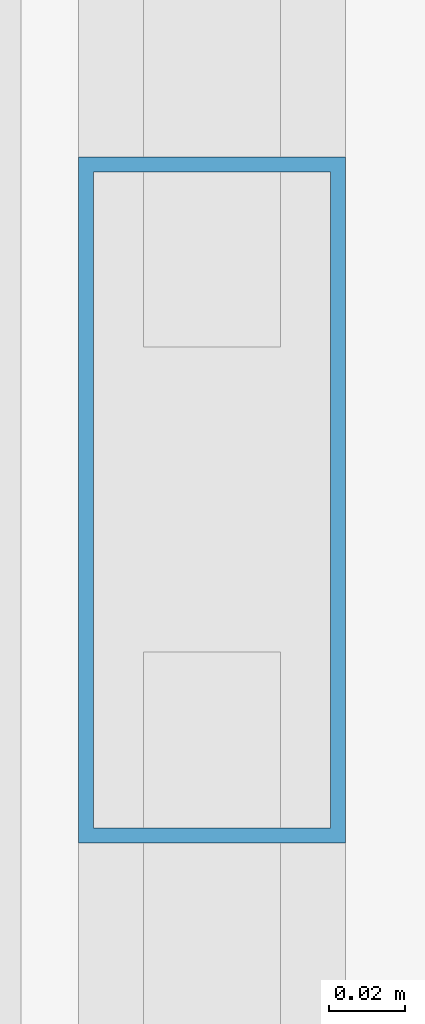
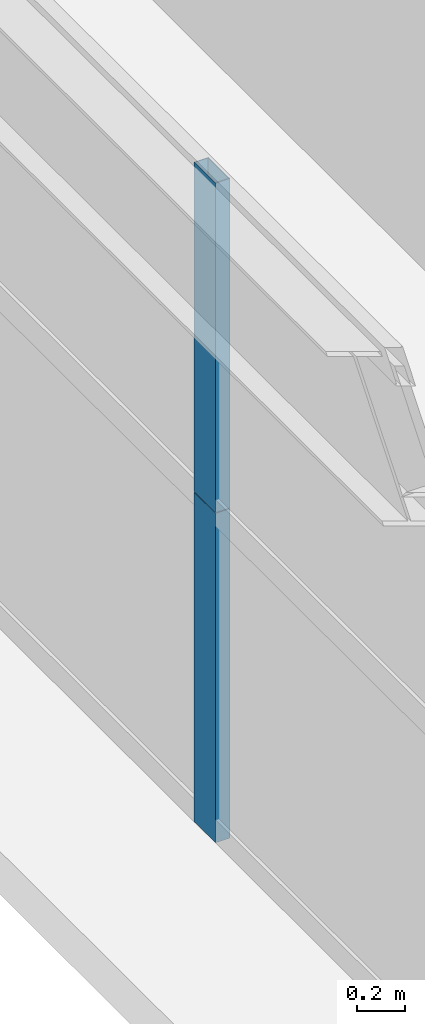
# One storey, part 23 of 43: 2 members, 1 element without a shape of its own.
"""IFC4 building model written with IfcOpenShell, lengths in metres."""

import ifcopenshell
import ifcopenshell.guid

model = None  # the IFC model being written
_history = None  # IfcOwnerHistory: only IFC2X3 demands one
_inside = {}  # id of a spatial element -> (the spatial element, [elements in it])
_under = {}  # id of a project, library or spatial element -> (it, [spatial elements below it])
_declared = {}  # id of a project -> (the project, [libraries it declares])
_typed = {}  # id of a type object -> (the type object, [elements of that type])
_made_of = {}  # id of a material, layer set ... -> (it, [elements and type objects made of it])


def new_model(schema):
    """Start an empty IFC model of exactly this schema.

    Asked for "IFC4X3", IfcOpenShell would pick the latest addendum, in which some entities
    have other attributes; the version numbers below select the first issue.
    IFC2X3 requires an IfcOwnerHistory on every rooted entity: one is made here for all.
    """
    global model, _history
    if schema == "IFC4X3":
        model = ifcopenshell.file(schema_version=(4, 3, 0, 0))
    else:
        model = ifcopenshell.file(schema=schema)
    _inside.clear()
    _under.clear()
    _declared.clear()
    _typed.clear()
    _made_of.clear()
    _history = None
    if model.schema == "IFC2X3":
        org = make("IfcOrganization", Name="unknown")
        user = make(
            "IfcPersonAndOrganization",
            ThePerson=make("IfcPerson", FamilyName="unknown"),
            TheOrganization=org,
        )
        app = make(
            "IfcApplication",
            ApplicationDeveloper=org,
            Version="unknown",
            ApplicationFullName="unknown",
            ApplicationIdentifier="unknown",
        )
        _history = make(
            "IfcOwnerHistory",
            OwningUser=user,
            OwningApplication=app,
            ChangeAction="ADDED",
            CreationDate=0,
        )
    return model


def make(cls, **values):
    """One entity of the class cls with the attributes given. An attribute that is None is left unset."""
    return model.create_entity(
        cls, **{name: value for name, value in values.items() if value is not None}
    )


def rooted(cls, **values):
    """An entity with a GlobalId (a new one), such as an element, a storey or a relation."""
    return make(cls, GlobalId=ifcopenshell.guid.new(), OwnerHistory=_history, **values)


def si_unit(unit_type, name, prefix=None):
    """IfcSIUnit, for example si_unit("LENGTHUNIT", "METRE", prefix="MILLI")."""
    return make("IfcSIUnit", UnitType=unit_type, Prefix=prefix, Name=name)


def assignment(units):
    """IfcUnitAssignment: the units of a project."""
    return None if units is None else make("IfcUnitAssignment", Units=units)


def point(xyz):
    """IfcCartesianPoint."""
    return None if xyz is None else make("IfcCartesianPoint", Coordinates=xyz)


def direction(xyz):
    """IfcDirection."""
    return None if xyz is None else make("IfcDirection", DirectionRatios=xyz)


def frame(location, z_axis=None, x_axis=None):
    """IfcAxis2Placement3D, a coordinate frame: its origin and axes. An axis left out is left unset."""
    return make(
        "IfcAxis2Placement3D",
        Location=point(location),
        Axis=direction(z_axis),
        RefDirection=direction(x_axis),
    )


def frame_2d(location, x_axis=None):
    """IfcAxis2Placement2D, a coordinate frame in the plane: its origin and x axis."""
    return make(
        "IfcAxis2Placement2D", Location=point(location), RefDirection=direction(x_axis)
    )


def origin():
    """The frame at (0, 0, 0) with its axes left unset."""
    return frame((0.0, 0.0, 0.0))


def origin_2d():
    """The frame at (0, 0) in the plane with its x axis left unset."""
    return frame_2d((0.0, 0.0))


def place(relative_to, where):
    """IfcLocalPlacement: puts the frame where relative to a parent placement (None: the world)."""
    return make(
        "IfcLocalPlacement", PlacementRelTo=relative_to, RelativePlacement=where
    )


def context(
    kind, dimensions, precision=None, world=None, true_north=None, identifier=None
):
    """IfcGeometricRepresentationContext, for example the 3D "Model" context."""
    return make(
        "IfcGeometricRepresentationContext",
        ContextIdentifier=identifier,
        ContextType=kind,
        CoordinateSpaceDimension=dimensions,
        Precision=precision,
        WorldCoordinateSystem=world,
        TrueNorth=true_north,
    )


def subcontext(parent, identifier, kind, view, scale=None):
    """IfcGeometricRepresentationSubContext, for example "Body" below "Model"."""
    return make(
        "IfcGeometricRepresentationSubContext",
        ContextIdentifier=identifier,
        ContextType=kind,
        ParentContext=parent,
        TargetScale=scale,
        TargetView=view,
    )


def project(units=None, contexts=None):
    """IfcProject with its units and contexts."""
    return rooted(
        "IfcProject",
        Name="project",
        RepresentationContexts=contexts,
        UnitsInContext=assignment(units),
    )


def spatial(cls, under=None, at=None, **own):
    """A site, building, storey or space (cls), placed at a placement, below another one or the project."""
    s = rooted(cls, ObjectPlacement=at, **own)
    if under is not None:
        _under.setdefault(under.id(), (under, []))[1].append(s)
    return s


def profile(cls, at=None, kind="AREA", **sizes):
    """A parametric profile (cls). Its sizes go by their IFC names, for example OverallWidth=200.0."""
    return make(cls, ProfileType=kind, Position=at, **sizes)


def hollow_rectangle(**sizes):
    """IfcRectangleHollowProfileDef."""
    return profile("IfcRectangleHollowProfileDef", **sizes)


def extrude(swept, where, along, depth):
    """IfcExtrudedAreaSolid: the profile swept, set in the frame where, extruded along a direction by depth."""
    return make(
        "IfcExtrudedAreaSolid",
        SweptArea=swept,
        Position=where,
        ExtrudedDirection=direction(along),
        Depth=depth,
    )


def shape(context_of_items, identifier, shape_type, items):
    """IfcShapeRepresentation: the items that make up one representation, for example the "Body"."""
    return make(
        "IfcShapeRepresentation",
        ContextOfItems=context_of_items,
        RepresentationIdentifier=identifier,
        RepresentationType=shape_type,
        Items=items,
    )


def source(mapping_origin, context_of_items, identifier, shape_type, items):
    """IfcRepresentationMap: a shape defined once, which mapped items show again and again."""
    return make(
        "IfcRepresentationMap",
        MappingOrigin=mapping_origin,
        MappedRepresentation=shape(context_of_items, identifier, shape_type, items),
    )


def transform(
    local_origin,
    x_axis=None,
    y_axis=None,
    z_axis=None,
    scale=None,
    scale2=None,
    scale3=None,
    uniform=True,
):
    """IfcCartesianTransformationOperator3D, or its non-uniform kind. x_axis, y_axis, z_axis: its Axis1, 2, 3."""
    if uniform:
        return make(
            "IfcCartesianTransformationOperator3D",
            Axis1=direction(x_axis),
            Axis2=direction(y_axis),
            LocalOrigin=point(local_origin),
            Scale=scale,
            Axis3=direction(z_axis),
        )
    return make(
        "IfcCartesianTransformationOperator3DnonUniform",
        Axis1=direction(x_axis),
        Axis2=direction(y_axis),
        LocalOrigin=point(local_origin),
        Scale=scale,
        Axis3=direction(z_axis),
        Scale2=scale2,
        Scale3=scale3,
    )


def mapped(mapping_source, mapping_target):
    """IfcMappedItem: shows the shape of a source again, moved by a transform."""
    return make(
        "IfcMappedItem", MappingSource=mapping_source, MappingTarget=mapping_target
    )


def material(Name=None, Category=None):
    """IfcMaterial."""
    return make("IfcMaterial", Name=Name, Category=Category)


def layer(
    of_material, thickness, ventilated=None, Name=None, Category=None, Priority=None
):
    """IfcMaterialLayer: one layer of a wall or slab, of a material (None: an air gap)."""
    return make(
        "IfcMaterialLayer",
        Material=of_material,
        LayerThickness=thickness,
        IsVentilated=ventilated,
        Name=Name,
        Category=Category,
        Priority=Priority,
    )


def layer_set(layers, Name=None):
    """IfcMaterialLayerSet."""
    return make("IfcMaterialLayerSet", MaterialLayers=layers, LayerSetName=Name)


def material_profile(
    of_material, cross_section, Name=None, Category=None, Priority=None
):
    """IfcMaterialProfile: a cross section and its material."""
    return make(
        "IfcMaterialProfile",
        Name=Name,
        Material=of_material,
        Profile=cross_section,
        Priority=Priority,
        Category=Category,
    )


def profile_set(profiles, Name=None, composite=None):
    """IfcMaterialProfileSet."""
    return make(
        "IfcMaterialProfileSet",
        Name=Name,
        MaterialProfiles=profiles,
        CompositeProfile=composite,
    )


def made_of(thing, what):
    """Note that an element or type object is made of a material, layer set ...; save() writes the relation."""
    if what is not None:
        _made_of.setdefault(what.id(), (what, []))[1].append(thing)
    return thing


def type_object(cls, material=None, **own):
    """A type object (cls), such as IfcWallType, which elements share."""
    return made_of(rooted(cls, **own), material)


def element(
    cls,
    number,
    at=None,
    inside=None,
    cuts=None,
    type_object=None,
    material=None,
    context=None,
    identifier="Body",
    shape_type=None,
    held_by="IfcProductDefinitionShape",
    body=None,
    shapes=None,
    **own,
):
    """One element of the class cls, such as IfcWall. Its Tag is "e" and its number.

    at: its placement. inside: the storey or other place that contains it. cuts: it is an
    opening in that element (IfcRelVoidsElement). A single representation is given by context,
    identifier, shape_type and body (its items); several are given by shapes. held_by: the class
    of the entity that holds the representations. save() writes the other relations.
    """
    e = rooted(cls, Tag="e%d" % number, ObjectPlacement=at, **own)
    if body is not None:
        shapes = [shape(context, identifier, shape_type, body)]
    if shapes is not None:
        e.Representation = make(held_by, Representations=shapes)
    if inside is not None:
        _inside.setdefault(inside.id(), (inside, []))[1].append(e)
    if cuts is not None:
        rooted(
            "IfcRelVoidsElement", RelatingBuildingElement=cuts, RelatedOpeningElement=e
        )
    if type_object is not None:
        _typed.setdefault(type_object.id(), (type_object, []))[1].append(e)
    return made_of(e, material)


def aggregate(whole, parts):
    """IfcRelAggregates: a whole, such as a stair, and the parts it consists of."""
    return rooted("IfcRelAggregates", RelatingObject=whole, RelatedObjects=parts)


def save(model, path):
    """Write the relations noted so far, then the file.

    IfcRelAggregates (storeys below a building ...), IfcRelContainedInSpatialStructure (elements
    in a storey), IfcRelDefinesByType, IfcRelAssociatesMaterial and IfcRelDeclares: one each for
    every whole, place, type object, material and project.
    """
    for whole, parts in _under.values():
        aggregate(whole, parts)
    for where, things in _inside.values():
        rooted(
            "IfcRelContainedInSpatialStructure",
            RelatedElements=things,
            RelatingStructure=where,
        )
    for kind, things in _typed.values():
        rooted("IfcRelDefinesByType", RelatedObjects=things, RelatingType=kind)
    for what, things in _made_of.values():
        rooted("IfcRelAssociatesMaterial", RelatedObjects=things, RelatingMaterial=what)
    for by, libraries in _declared.values():
        rooted("IfcRelDeclares", RelatingContext=by, RelatedDefinitions=libraries)
    model.write(path)


model = new_model("IFC4")

# Units and contexts
model_context = context("Model", 3, precision=1e-05, world=origin(), true_north=direction((0.0, 1.0)))
body_context = subcontext(model_context, "Body", "Model", "MODEL_VIEW")
ifc_project = project(units=[si_unit("LENGTHUNIT", "METRE"), si_unit("AREAUNIT", "SQUARE_METRE"), si_unit("VOLUMEUNIT", "CUBIC_METRE"), si_unit("PLANEANGLEUNIT", "RADIAN"), si_unit("MASSUNIT", "GRAM", prefix="KILO"), si_unit("THERMODYNAMICTEMPERATUREUNIT", "KELVIN"), si_unit("POWERUNIT", "WATT")], contexts=[model_context])

# Site, building, storey
site_placement = place(None, origin())
site = spatial("IfcSite", under=ifc_project, at=site_placement, CompositionType="ELEMENT")
building_placement = place(site_placement, origin())
building = spatial("IfcBuilding", under=site, at=building_placement, Name="Yuzanri Waterfront Tower", CompositionType="ELEMENT")
storey_placement = place(building_placement, frame((0.0, 0.0, 93.800048828125)))
storey = spatial("IfcBuildingStorey", under=building, at=storey_placement, Name="L24", CompositionType="ELEMENT", Elevation=93.800048828125)

# Curtain wall, members
ifc_material_1 = material(Name="Anodized Architectural Bronze", Category="metal")
ifc_layer = layer(ifc_material_1, 0.159912109375)
ifc_layer_set = layer_set([ifc_layer], Name="Anodized Architectural Bronze")
curtain_wall_type = type_object("IfcCurtainWallType", Name="Anodized Bronze Hotel Upper-Tier Solar-Control Unitized Curtain Wall 7800", PredefinedType="NOTDEFINED", material=ifc_layer_set)
curtain_wall_placement = place(storey_placement, origin())
curtain_wall = element("IfcCurtainWall", 1, at=curtain_wall_placement, inside=storey, type_object=curtain_wall_type, Name="L24 Curtain Wall CW-L24-WR", PredefinedType="NOTDEFINED")
ifc_material_2 = material(Name="Anodized Architectural Bronze", Category="metal")
ifc_material_profile = material_profile(ifc_material_2, hollow_rectangle(XDim=0.070068359375, YDim=0.179931640625, WallThickness=0.00390625, at=origin_2d()), Name="CWM 70x180")
ifc_profile_set = profile_set([ifc_material_profile], Name="Anodized Architectural Bronze")
member_type = type_object("IfcMemberType", Name="Anodized Bronze Standard Curtain-Wall Mullion 70x180", PredefinedType="MULLION", material=ifc_profile_set)
shared_shape = source(origin(), body_context, "Body", "SweptSolid", [
    extrude(hollow_rectangle(XDim=0.070068359375, YDim=0.179931640625, WallThickness=0.00390625, at=origin_2d()), origin(), (0.0, 0.0, 1.0), 1.68798828125),
])
member_1_placement = place(storey_placement, frame((13.550048828125, 34.14990234375, 0.0), z_axis=(0.0, 0.0, 1.0), x_axis=(1.0, 0.0, 0.0)))
member_1 = element("IfcMember", 2, at=member_1_placement, type_object=member_type, Name="CW-L24-WR Lower Mullion 01", PredefinedType="MULLION", context=body_context, shape_type="MappedRepresentation", body=[
    mapped(shared_shape, transform((0.0, 0.0, 0.0), scale=1.0)),
])
member_2_placement = place(storey_placement, frame((13.550048828125, 34.14990234375, 1.69189453125), z_axis=(0.0, 0.0, 1.0), x_axis=(1.0, 0.0, 0.0)))
member_2 = element("IfcMember", 3, at=member_2_placement, type_object=member_type, Name="CW-L24-WR Upper Mullion 01", PredefinedType="MULLION", context=body_context, shape_type="MappedRepresentation", body=[
    mapped(shared_shape, transform((0.0, 0.0, 0.0), scale=1.0)),
])
aggregate(curtain_wall, [member_1, member_2])

save(model, "model.ifc")
